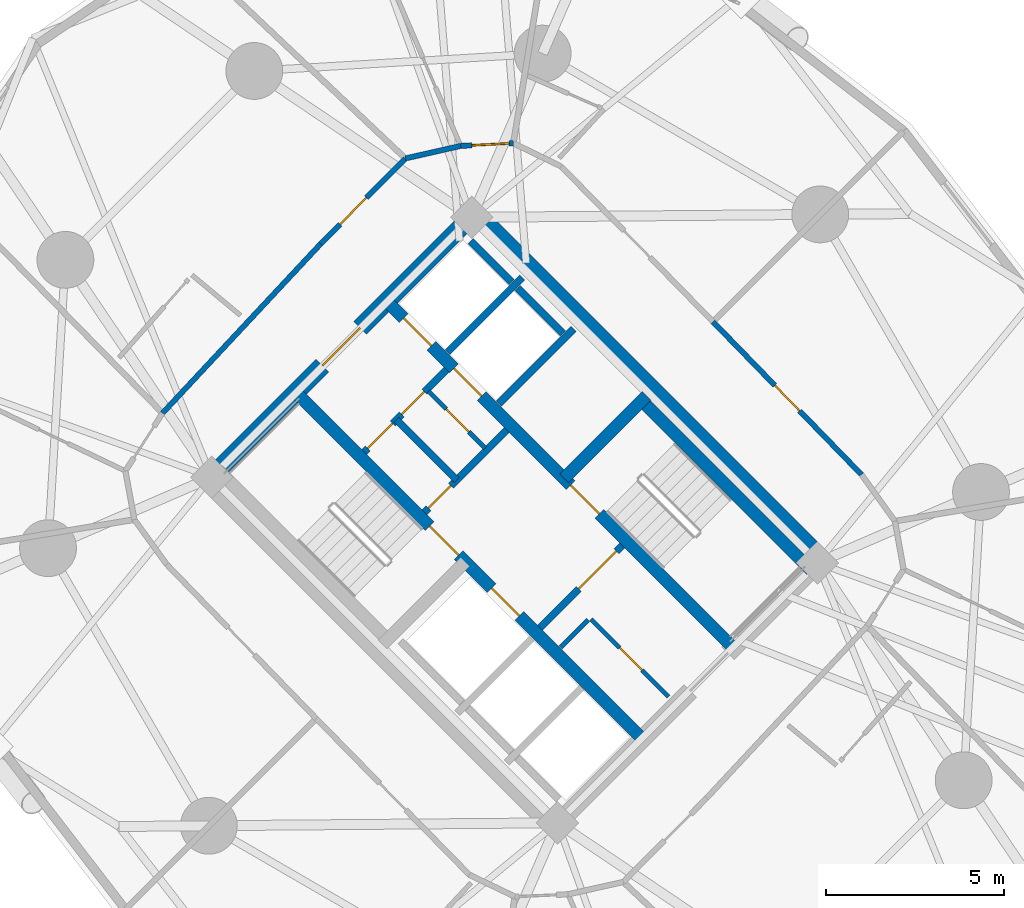
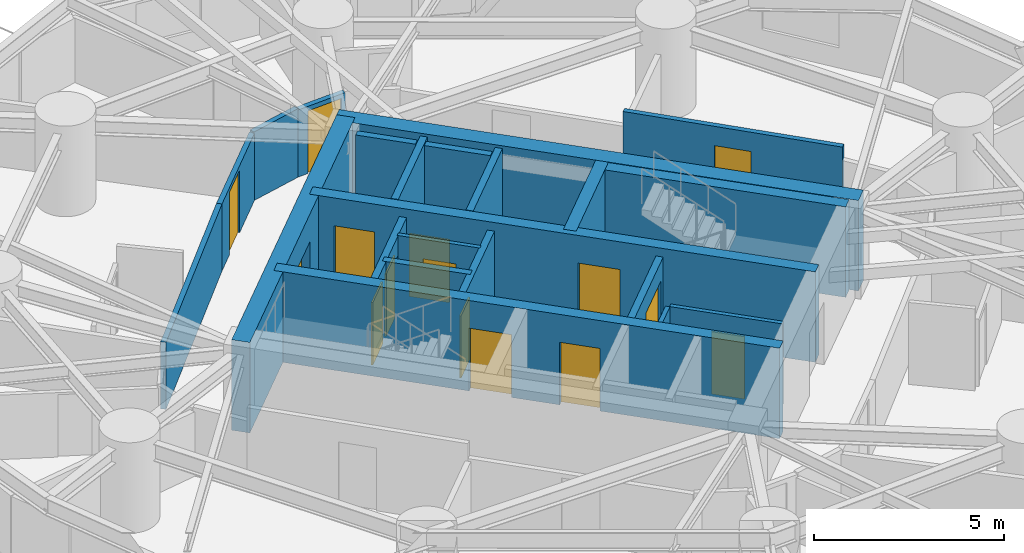
# One storey, part 14 of 19: 22 walls, 15 doors, 15 openings.
"""IFC4 building model written with IfcOpenShell, lengths in metres."""

from ifc_helpers import new_model, si_unit, direction, frame, frame_2d, origin, place, context, subcontext, project, spatial, rectangle, extrude, source, transform, mapped, material, layer, layer_set, type_object, element, fill, save


model = new_model("IFC4")

# Units and contexts
model_context = context("Model", 3, precision=1e-05, world=origin(), true_north=direction((0.0, 1.0)))
body_context = subcontext(model_context, "Body", "Model", "MODEL_VIEW")
ifc_project = project(units=[si_unit("LENGTHUNIT", "METRE"), si_unit("AREAUNIT", "SQUARE_METRE"), si_unit("VOLUMEUNIT", "CUBIC_METRE"), si_unit("PLANEANGLEUNIT", "RADIAN"), si_unit("MASSUNIT", "GRAM", prefix="KILO")], contexts=[model_context])

# Site, building, storey
site_placement = place(None, origin())
site = spatial("IfcSite", under=ifc_project, at=site_placement, CompositionType="ELEMENT")
building_placement = place(site_placement, origin())
building = spatial("IfcBuilding", under=site, at=building_placement, Name="Cununo Teusaquillo Station Towers", CompositionType="ELEMENT")
storey_placement = place(building_placement, frame((0.0, 0.0, 30.72998046875)))
storey = spatial("IfcBuildingStorey", under=building, at=storey_placement, Name="L08", CompositionType="ELEMENT", Elevation=30.72998046875)

# Walls
ifc_material_1 = material(Name="Concrete C50/60", Category="concrete")
ifc_layer_1 = layer(ifc_material_1, 0.199951171875)
ifc_layer_set_1 = layer_set([ifc_layer_1], Name="Concrete C50/60")
wall_type_1 = type_object("IfcWallType", Name="WL-CORE-200", PredefinedType="SHEAR", material=ifc_layer_set_1)
wall_1_placement = place(storey_placement, frame((57.0615234375, 27.781005859375, 0.0), z_axis=(0.0, 0.0, 1.0), x_axis=(0.707106781187, 0.707106781187, 0.0)))
element("IfcWall", 1, at=wall_1_placement, inside=storey, type_object=wall_type_1, Name="L08 Tower B Low-Rise Lift Hoistway South Shear Wall", PredefinedType="SHEAR", context=body_context, shape_type="SweptSolid", body=[
    extrude(rectangle(XDim=2.969970703125, YDim=0.199951171875, at=frame_2d((1.48486328125, 0.0))), origin(), (0.0, 0.0, 1.0), 2.909912109375),
])
wall_2_placement = place(storey_placement, frame((55.615478515625, 29.22705078125, 0.0), z_axis=(0.0, 0.0, 1.0), x_axis=(0.707147878904, 0.70706568108, 0.0)))
element("IfcWall", 2, at=wall_2_placement, inside=storey, type_object=wall_type_1, Name="L08 Tower B Low-Rise Lift Hoistway Divider Shear Wall", PredefinedType="SHEAR", context=body_context, shape_type="SweptSolid", body=[
    extrude(rectangle(XDim=2.97021484375, YDim=0.199951171875, at=frame_2d((1.485107421875, 0.0))), origin(), (0.0, 0.0, 1.0), 2.909912109375),
])
wall_3_placement = place(storey_placement, frame((58.86474609375, 29.75390625, 0.0), z_axis=(0.0, 0.0, 1.0), x_axis=(-0.707174411312, 0.707039144592, 0.0)))
element("IfcWall", 3, at=wall_3_placement, inside=storey, type_object=wall_type_1, Name="L08 Tower B Low-Rise Lift 1 Shaft Rear Shear Wall", PredefinedType="SHEAR", context=body_context, shape_type="SweptSolid", body=[
    extrude(rectangle(XDim=1.804931640625, YDim=0.199951171875, at=frame_2d((0.90234375, 0.0))), origin(), (0.0, 0.0, 1.0), 2.909912109375),
])
wall_4_placement = place(storey_placement, frame((57.418701171875, 31.19970703125, 0.0), z_axis=(0.0, 0.0, 1.0), x_axis=(-0.707032117043, 0.707181437447, 0.0)))
element("IfcWall", 4, at=wall_4_placement, inside=storey, type_object=wall_type_1, Name="L08 Tower B Low-Rise Lift 2 Shaft Rear Shear Wall", PredefinedType="SHEAR", context=body_context, shape_type="SweptSolid", body=[
    extrude(rectangle(XDim=1.635009765625, YDim=0.199951171875, at=frame_2d((0.8173828125, 0.0))), origin(), (0.0, 0.0, 1.0), 2.909912109375),
])

# Wall, openings, doors
ifc_material_2 = material(Name="Concrete C50/60", Category="concrete")
ifc_layer_2 = layer(ifc_material_2, 0.35009765625)
ifc_layer_set_2 = layer_set([ifc_layer_2], Name="Concrete C50/60")
wall_type_2 = type_object("IfcWallType", Name="WL-CORE-350", PredefinedType="SHEAR", material=ifc_layer_set_2)
wall_5_placement = place(storey_placement, frame((61.095703125, 18.337646484375, 0.0), z_axis=(0.0, 0.0, 1.0), x_axis=(-0.707106781187, 0.707106781187, 0.0)))
wall_5 = element("IfcWall", 5, at=wall_5_placement, inside=storey, type_object=wall_type_2, Name="L08 Tower B Core Shear Wall IW", PredefinedType="SHEAR", context=body_context, shape_type="SweptSolid", body=[
    extrude(rectangle(XDim=13.800048828125, YDim=0.35009765625, at=frame_2d((6.89990234375, 0.0))), origin(), (0.0, 0.0, 1.0), 2.909912109375),
])
shared_shape_1 = source(origin(), body_context, "Body", "SweptSolid", [
    extrude(rectangle(XDim=1.10009765625, YDim=2.014892578125, at=frame_2d((0.550048828125, 1.00732421875))), frame((0.0, 0.18505859375, 0.0), z_axis=(0.0, -1.0, 0.0), x_axis=(1.0, 0.0, 0.0)), (0.0, 0.0, 1.0), 0.3701171875),
])
opening_1_placement = place(wall_5_placement, frame((4.89990234375, 0.0, 0.0)))
opening_1 = element("IfcOpeningElement", 6, at=opening_1_placement, cuts=wall_5, Name="Opening LD-01", PredefinedType="OPENING", context=body_context, shape_type="MappedRepresentation", body=[
    mapped(shared_shape_1, transform((0.0, 0.0, 0.0), x_axis=(1.0, 0.0, 0.0), y_axis=(0.0, 1.0, 0.0), z_axis=(0.0, 0.0, 1.0), scale=1.0)),
])
shared_shape_2 = source(origin(), body_context, "Body", "SweptSolid", [
    extrude(rectangle(XDim=1.14990234375, YDim=2.02001953125, at=frame_2d((0.574951171875, 1.010009765625))), frame((0.0, 0.18505859375, 0.0), z_axis=(0.0, -1.0, 0.0), x_axis=(1.0, 0.0, 0.0)), (0.0, 0.0, 1.0), 0.3701171875),
])
opening_2_placement = place(wall_5_placement, frame((7.320068359375, 0.0, 0.0)))
opening_2 = element("IfcOpeningElement", 7, at=opening_2_placement, cuts=wall_5, Name="Opening D-ST1", PredefinedType="OPENING", context=body_context, shape_type="MappedRepresentation", body=[
    mapped(shared_shape_2, transform((0.0, 0.0, 0.0), x_axis=(1.0, 0.0, 0.0), y_axis=(0.0, 1.0, 0.0), z_axis=(0.0, 0.0, 1.0), scale=1.0)),
])
ifc_material_3 = material(Name="Galvanised fire-rated hollow steel door assembly", Category="steel")
door_type_1 = type_object("IfcDoorType", Name="DR-LIFT-1100", OperationType="SLIDING_TO_LEFT", PredefinedType="DOOR", material=ifc_material_3)
shared_shape_3 = source(origin(), body_context, "Body", "SweptSolid", [
    extrude(rectangle(XDim=1.10009765625, YDim=2.014892578125, at=frame_2d((0.550048828125, 1.00732421875))), frame((0.0, 0.02490234375, 0.0), z_axis=(0.0, -1.0, 0.0), x_axis=(1.0, 0.0, 0.0)), (0.0, 0.0, 1.0), 0.050048828125),
])
door_1_placement = place(opening_1_placement, origin())
door_1 = element("IfcDoor", 8, at=door_1_placement, inside=storey, type_object=door_type_1, Name="L08 Lift FL-T2 Sliding Landing Door", OperationType="SLIDING_TO_RIGHT", OverallHeight=2.014892578125, OverallWidth=1.10009765625, PredefinedType="DOOR", context=body_context, shape_type="MappedRepresentation", body=[
    mapped(shared_shape_3, transform((0.0, 0.0, 0.0), x_axis=(1.0, 0.0, 0.0), y_axis=(0.0, 1.0, 0.0), z_axis=(0.0, 0.0, 1.0), scale=1.0)),
])
fill(opening_1, door_1)
ifc_material_4 = material(Name="Galvanised fire-rated hollow steel door assembly", Category="steel")
door_type_2 = type_object("IfcDoorType", Name="DR-STAIR-1150", OperationType="NOTDEFINED", PredefinedType="DOOR", material=ifc_material_4)
shared_shape_4 = source(origin(), body_context, "Body", "SweptSolid", [
    extrude(rectangle(XDim=1.14990234375, YDim=2.02001953125, at=frame_2d((0.574951171875, 1.010009765625))), frame((0.0, 0.02490234375, 0.0), z_axis=(0.0, -1.0, 0.0), x_axis=(1.0, 0.0, 0.0)), (0.0, 0.0, 1.0), 0.050048828125),
])
door_2_placement = place(opening_2_placement, origin())
door_2 = element("IfcDoor", 9, at=door_2_placement, inside=storey, type_object=door_type_2, Name="L08 Tower B Exit Stair 1 Fire Door", OperationType="SINGLE_SWING_LEFT", OverallHeight=2.02001953125, OverallWidth=1.14990234375, PredefinedType="DOOR", context=body_context, shape_type="MappedRepresentation", body=[
    mapped(shared_shape_4, transform((0.0, 0.0, 0.0), x_axis=(1.0, 0.0, 0.0), y_axis=(0.0, 1.0, 0.0), z_axis=(0.0, 0.0, 1.0), scale=1.0)),
])
fill(opening_2, door_2)

wall_6_placement = place(storey_placement, frame((63.662353515625, 20.904296875, 0.0), z_axis=(0.0, 0.0, 1.0), x_axis=(-0.707106781187, 0.707106781187, 0.0)))
wall_6 = element("IfcWall", 10, at=wall_6_placement, inside=storey, type_object=wall_type_2, Name="L08 Tower B Core Shear Wall IE", PredefinedType="SHEAR", context=body_context, shape_type="SweptSolid", body=[
    extrude(rectangle(XDim=13.800048828125, YDim=0.35009765625, at=frame_2d((6.89990234375, 0.0))), origin(), (0.0, 0.0, 1.0), 2.909912109375),
])
opening_3_placement = place(wall_6_placement, frame((10.02490234375, 0.0, 0.0)))
opening_3 = element("IfcOpeningElement", 11, at=opening_3_placement, cuts=wall_6, Name="Opening LD-01", PredefinedType="OPENING", context=body_context, shape_type="MappedRepresentation", body=[
    mapped(shared_shape_1, transform((0.0, 0.0, 0.0), x_axis=(1.0, 0.0, 0.0), y_axis=(0.0, 1.0, 0.0), z_axis=(0.0, 0.0, 1.0), scale=1.0)),
])
opening_4_placement = place(wall_6_placement, frame((12.02490234375, 0.0, 0.0)))
opening_4 = element("IfcOpeningElement", 12, at=opening_4_placement, cuts=wall_6, Name="Opening LD-01", PredefinedType="OPENING", context=body_context, shape_type="MappedRepresentation", body=[
    mapped(shared_shape_1, transform((0.0, 0.0, 0.0), x_axis=(1.0, 0.0, 0.0), y_axis=(0.0, 1.0, 0.0), z_axis=(0.0, 0.0, 1.0), scale=1.0)),
])
opening_5_placement = place(wall_6_placement, frame((5.330078125, 0.0, 0.0)))
opening_5 = element("IfcOpeningElement", 13, at=opening_5_placement, cuts=wall_6, Name="Opening D-ST1", PredefinedType="OPENING", context=body_context, shape_type="MappedRepresentation", body=[
    mapped(shared_shape_2, transform((0.0, 0.0, 0.0), x_axis=(1.0, 0.0, 0.0), y_axis=(0.0, 1.0, 0.0), z_axis=(0.0, 0.0, 1.0), scale=1.0)),
])
door_3_placement = place(opening_3_placement, origin())
door_3 = element("IfcDoor", 14, at=door_3_placement, inside=storey, type_object=door_type_1, Name="L08 Lift PL-T2-L1 Sliding Landing Door", OperationType="SLIDING_TO_LEFT", OverallHeight=2.014892578125, OverallWidth=1.10009765625, PredefinedType="DOOR", context=body_context, shape_type="MappedRepresentation", body=[
    mapped(shared_shape_3, transform((0.0, 0.0, 0.0), x_axis=(1.0, 0.0, 0.0), y_axis=(0.0, 1.0, 0.0), z_axis=(0.0, 0.0, 1.0), scale=1.0)),
])
fill(opening_3, door_3)
door_4_placement = place(opening_4_placement, origin())
door_4 = element("IfcDoor", 15, at=door_4_placement, inside=storey, type_object=door_type_1, Name="L08 Lift PL-T2-L2 Sliding Landing Door", OperationType="SLIDING_TO_RIGHT", OverallHeight=2.014892578125, OverallWidth=1.10009765625, PredefinedType="DOOR", context=body_context, shape_type="MappedRepresentation", body=[
    mapped(shared_shape_3, transform((0.0, 0.0, 0.0), x_axis=(1.0, 0.0, 0.0), y_axis=(0.0, 1.0, 0.0), z_axis=(0.0, 0.0, 1.0), scale=1.0)),
])
fill(opening_4, door_4)
door_5_placement = place(opening_5_placement, origin())
door_5 = element("IfcDoor", 16, at=door_5_placement, inside=storey, type_object=door_type_2, Name="L08 Tower B Exit Stair 2 Fire Door", OperationType="SINGLE_SWING_RIGHT", OverallHeight=2.02001953125, OverallWidth=1.14990234375, PredefinedType="DOOR", context=body_context, shape_type="MappedRepresentation", body=[
    mapped(shared_shape_4, transform((0.0, 0.0, 0.0), x_axis=(1.0, 0.0, 0.0), y_axis=(0.0, 1.0, 0.0), z_axis=(0.0, 0.0, 1.0), scale=1.0)),
])
fill(opening_5, door_5)

# Walls
wall_7_placement = place(storey_placement, frame((65.847412109375, 23.08935546875, 0.0), z_axis=(0.0, 0.0, 1.0), x_axis=(-0.707106781187, 0.707106781187, 0.0)))
element("IfcWall", 17, at=wall_7_placement, inside=storey, type_object=wall_type_2, Name="L08 Tower B Core Shear Wall ST2E", PredefinedType="SHEAR", context=body_context, shape_type="SweptSolid", body=[
    extrude(rectangle(XDim=6.7451171875, YDim=0.35009765625, at=frame_2d((3.37255859375, 0.0))), origin(), (0.0, 0.0, 1.0), 2.909912109375),
])
wall_8_placement = place(storey_placement, frame((58.89306640625, 25.673828125, 0.0), z_axis=(0.0, 0.0, 1.0), x_axis=(0.707106781187, 0.707106781187, 0.0)))
element("IfcWall", 18, at=wall_8_placement, inside=storey, type_object=wall_type_2, Name="L08 Tower B Core Shear Wall ST2N", PredefinedType="SHEAR", context=body_context, shape_type="SweptSolid", body=[
    extrude(rectangle(XDim=3.284912109375, YDim=0.35009765625, at=frame_2d((1.642578125, 0.0))), origin(), (0.0, 0.0, 1.0), 2.909912109375),
])
ifc_material_5 = material(Name="Concrete C60/75", Category="concrete")
ifc_layer_3 = layer(ifc_material_5, 0.5)
ifc_layer_set_3 = layer_set([ifc_layer_3], Name="Concrete C60/75")
wall_type_3 = type_object("IfcWallType", Name="WL-CORE-500", PredefinedType="SHEAR", material=ifc_layer_set_3)
wall_9_placement = place(storey_placement, frame((66.3388671875, 23.227294921875, 0.0), z_axis=(0.0, 0.0, 1.0), x_axis=(-0.707106781187, 0.707106781187, 0.0)))
element("IfcWall", 19, at=wall_9_placement, inside=storey, type_object=wall_type_3, Name="L08 Tower B Core Shear Wall E", PredefinedType="SHEAR", context=body_context, shape_type="SweptSolid", body=[
    extrude(rectangle(XDim=14.2998046875, YDim=0.5, at=frame_2d((7.14990234375, 0.0))), origin(), (0.0, 0.0, 1.0), 2.909912109375),
])

# Wall, opening, door
wall_10_placement = place(storey_placement, frame((48.837890625, 25.595947265625, 0.0), z_axis=(0.0, 0.0, 1.0), x_axis=(0.707106781187, 0.707106781187, 0.0)))
wall_10 = element("IfcWall", 20, at=wall_10_placement, inside=storey, type_object=wall_type_3, Name="L08 Tower B Core Shear Wall N", PredefinedType="SHEAR", context=body_context, shape_type="SweptSolid", body=[
    extrude(rectangle(XDim=10.7001953125, YDim=0.5, at=frame_2d((5.35009765625, 0.0))), origin(), (0.0, 0.0, 1.0), 2.909912109375),
])
shared_shape_5 = source(origin(), body_context, "Body", "SweptSolid", [
    extrude(rectangle(XDim=1.5, YDim=2.02001953125, at=frame_2d((0.75, 1.010009765625))), frame((0.0, 0.260009765625, 0.0), z_axis=(0.0, -1.0, 0.0), x_axis=(1.0, 0.0, 0.0)), (0.0, 0.0, 1.0), 0.52001953125),
])
opening_6_placement = place(wall_10_placement, frame((4.60009765625, 0.0, 0.0)))
opening_6 = element("IfcOpeningElement", 21, at=opening_6_placement, cuts=wall_10, Name="Opening D-LB1", PredefinedType="OPENING", context=body_context, shape_type="MappedRepresentation", body=[
    mapped(shared_shape_5, transform((0.0, 0.0, 0.0), x_axis=(1.0, 0.0, 0.0), y_axis=(0.0, 1.0, 0.0), z_axis=(0.0, 0.0, 1.0), scale=1.0)),
])
ifc_material_6 = material(Name="Galvanised fire-rated hollow steel door assembly", Category="steel")
door_type_3 = type_object("IfcDoorType", Name="DR-LOBBY-1500", OperationType="DOUBLE_DOOR_SINGLE_SWING", PredefinedType="DOOR", material=ifc_material_6)
shared_shape_6 = source(origin(), body_context, "Body", "SweptSolid", [
    extrude(rectangle(XDim=1.5, YDim=2.02001953125, at=frame_2d((0.75, 1.010009765625))), frame((0.0, 0.02490234375, 0.0), z_axis=(0.0, -1.0, 0.0), x_axis=(1.0, 0.0, 0.0)), (0.0, 0.0, 1.0), 0.050048828125),
])
door_6_placement = place(opening_6_placement, origin())
door_6 = element("IfcDoor", 22, at=door_6_placement, inside=storey, type_object=door_type_3, Name="L08 Tower B North Core Lift Lobby Door", OperationType="DOUBLE_DOOR_SINGLE_SWING", OverallHeight=2.02001953125, OverallWidth=1.5, PredefinedType="DOOR", context=body_context, shape_type="MappedRepresentation", body=[
    mapped(shared_shape_6, transform((0.0, 0.0, 0.0), x_axis=(1.0, 0.0, 0.0), y_axis=(0.0, 1.0, 0.0), z_axis=(0.0, 0.0, 1.0), scale=1.0)),
])
fill(opening_6, door_6)

ifc_material_7 = material(Name="Fire-rated gypsum plasterboard partition assembly", Category="gypsum")
ifc_layer_4 = layer(ifc_material_7, 0.125)
ifc_layer_set_4 = layer_set([ifc_layer_4], Name="Fire-rated gypsum plasterboard partition assembly")
wall_type_4 = type_object("IfcWallType", Name="WL-PART-125", PredefinedType="PARTITIONING", material=ifc_layer_set_4)
wall_11_placement = place(storey_placement, frame((61.834716796875, 19.529052734375, 0.0), z_axis=(0.0, 0.0, 1.0), x_axis=(-0.707146413884, 0.707067146267, 0.0)))
wall_11 = element("IfcWall", 23, at=wall_11_placement, inside=storey, type_object=wall_type_4, Name="L08 Tower B South-West Tall Store East Wall", PredefinedType="PARTITIONING", context=body_context, shape_type="SweptSolid", body=[
    extrude(rectangle(XDim=3.079833984375, YDim=0.125, at=frame_2d((1.5400390625, 0.0))), origin(), (0.0, 0.0, 1.0), 2.635009765625),
])
shared_shape_7 = source(origin(), body_context, "Body", "SweptSolid", [
    extrude(rectangle(XDim=0.89990234375, YDim=2.0048828125, at=frame_2d((0.449951171875, 1.00244140625))), frame((0.0, 0.072509765625, 0.0), z_axis=(0.0, -1.0, 0.0), x_axis=(1.0, 0.0, 0.0)), (0.0, 0.0, 1.0), 0.14501953125),
])
opening_7_placement = place(wall_11_placement, frame((1.050048828125, 0.0, 0.0)))
opening_7 = element("IfcOpeningElement", 24, at=opening_7_placement, cuts=wall_11, Name="Opening D-SR1", PredefinedType="OPENING", context=body_context, shape_type="MappedRepresentation", body=[
    mapped(shared_shape_7, transform((0.0, 0.0, 0.0), x_axis=(1.0, 0.0, 0.0), y_axis=(0.0, 1.0, 0.0), z_axis=(0.0, 0.0, 1.0), scale=1.0)),
])
ifc_material_8 = material(Name="Galvanised fire-rated hollow steel door assembly", Category="steel")
door_type_4 = type_object("IfcDoorType", Name="DR-STORE-900", OperationType="NOTDEFINED", PredefinedType="DOOR", material=ifc_material_8)
shared_shape_8 = source(origin(), body_context, "Body", "SweptSolid", [
    extrude(rectangle(XDim=0.89990234375, YDim=2.0048828125, at=frame_2d((0.449951171875, 1.00244140625))), frame((0.0, 0.02490234375, 0.0), z_axis=(0.0, -1.0, 0.0), x_axis=(1.0, 0.0, 0.0)), (0.0, 0.0, 1.0), 0.050048828125),
])
door_7_placement = place(opening_7_placement, origin())
door_7 = element("IfcDoor", 25, at=door_7_placement, inside=storey, type_object=door_type_4, Name="L08 Tower B South Cleaners Store Door", OperationType="SINGLE_SWING_LEFT", OverallHeight=2.0048828125, OverallWidth=0.89990234375, PredefinedType="DOOR", context=body_context, shape_type="MappedRepresentation", body=[
    mapped(shared_shape_8, transform((0.0, 0.0, 0.0), x_axis=(1.0, 0.0, 0.0), y_axis=(0.0, 1.0, 0.0), z_axis=(0.0, 0.0, 1.0), scale=1.0)),
])
fill(opening_7, door_7)

# Wall
wall_12_placement = place(storey_placement, frame((58.7939453125, 20.9150390625, 0.0), z_axis=(0.0, 0.0, 1.0), x_axis=(0.707106781187, 0.707106781187, 0.0)))
element("IfcWall", 26, at=wall_12_placement, inside=storey, type_object=wall_type_4, Name="L08 Tower B South-West Tall Store North Wall", PredefinedType="PARTITIONING", context=body_context, shape_type="SweptSolid", body=[
    extrude(rectangle(XDim=1.10009765625, YDim=0.125, at=frame_2d((0.550048828125, 0.0))), origin(), (0.0, 0.0, 1.0), 2.635009765625),
])

# Wall, opening, door
wall_13_placement = place(storey_placement, frame((56.672607421875, 26.529296875, 0.0), z_axis=(0.0, 0.0, 1.0), x_axis=(-0.707052764397, 0.70716079385, 0.0)))
wall_13 = element("IfcWall", 27, at=wall_13_placement, inside=storey, type_object=wall_type_4, Name="L08 Tower B Core Vertical Split Wall", PredefinedType="PARTITIONING", context=body_context, shape_type="SweptSolid", body=[
    extrude(rectangle(XDim=2.260009765625, YDim=0.125, at=frame_2d((1.1298828125, 0.0))), origin(), (0.0, 0.0, 1.0), 2.635009765625),
])
opening_8_placement = place(wall_13_placement, frame((0.64990234375, 0.0, 0.0)))
opening_8 = element("IfcOpeningElement", 28, at=opening_8_placement, cuts=wall_13, Name="Opening D-SR1", PredefinedType="OPENING", context=body_context, shape_type="MappedRepresentation", body=[
    mapped(shared_shape_7, transform((0.0, 0.0, 0.0), x_axis=(1.0, 0.0, 0.0), y_axis=(0.0, 1.0, 0.0), z_axis=(0.0, 0.0, 1.0), scale=1.0)),
])
door_8_placement = place(opening_8_placement, origin())
door_8 = element("IfcDoor", 29, at=door_8_placement, inside=storey, type_object=door_type_4, Name="L08 Tower B Core Electrical Room Door", OperationType="SINGLE_SWING_LEFT", OverallHeight=2.0048828125, OverallWidth=0.89990234375, PredefinedType="DOOR", context=body_context, shape_type="MappedRepresentation", body=[
    mapped(shared_shape_8, transform((0.0, 0.0, 0.0), x_axis=(1.0, 0.0, 0.0), y_axis=(0.0, 1.0, 0.0), z_axis=(0.0, 0.0, 1.0), scale=1.0)),
])
fill(opening_8, door_8)

ifc_material_9 = material(Name="Fire-rated gypsum plasterboard partition assembly", Category="gypsum")
ifc_layer_5 = layer(ifc_material_9, 0.14990234375)
ifc_layer_set_5 = layer_set([ifc_layer_5], Name="Fire-rated gypsum plasterboard partition assembly")
wall_type_5 = type_object("IfcWallType", Name="WL-PART-150", PredefinedType="PARTITIONING", material=ifc_layer_set_5)
wall_14_placement = place(storey_placement, frame((57.466796875, 35.111328125, 0.0), z_axis=(0.0, 0.0, 1.0), x_axis=(-0.998691757323, -0.051134859488, 0.0)))
wall_14 = element("IfcWall", 30, at=wall_14_placement, inside=storey, type_object=wall_type_5, Name="L08 Tower B Corridor Ring Wall C02", PredefinedType="PARTITIONING", context=body_context, shape_type="SweptSolid", body=[
    extrude(rectangle(XDim=1.48486328125, YDim=0.14990234375, at=frame_2d((0.742431640625, 0.0))), origin(), (0.0, 0.0, 1.0), 2.158935546875),
])
shared_shape_9 = source(origin(), body_context, "Body", "SweptSolid", [
    extrude(rectangle(XDim=1.050048828125, YDim=2.014892578125, at=frame_2d((0.52490234375, 1.00732421875))), frame((0.0, 0.0849609375, 0.0), z_axis=(0.0, -1.0, 0.0), x_axis=(1.0, 0.0, 0.0)), (0.0, 0.0, 1.0), 0.169921875),
])
opening_9_placement = place(wall_14_placement, frame((0.1201171875, 0.0, 0.0)))
opening_9 = element("IfcOpeningElement", 31, at=opening_9_placement, cuts=wall_14, Name="Opening D-SU1", PredefinedType="OPENING", context=body_context, shape_type="MappedRepresentation", body=[
    mapped(shared_shape_9, transform((0.0, 0.0, 0.0), x_axis=(1.0, 0.0, 0.0), y_axis=(0.0, 1.0, 0.0), z_axis=(0.0, 0.0, 1.0), scale=1.0)),
])
ifc_material_10 = material(Name="Acoustic solid-core hardwood leaf assembly", Category="wood")
door_type_5 = type_object("IfcDoorType", Name="DR-SUITE-1050", OperationType="NOTDEFINED", PredefinedType="DOOR", material=ifc_material_10)
shared_shape_10 = source(origin(), body_context, "Body", "SweptSolid", [
    extrude(rectangle(XDim=1.050048828125, YDim=2.014892578125, at=frame_2d((0.52490234375, 1.00732421875))), frame((0.0, 0.02490234375, 0.0), z_axis=(0.0, -1.0, 0.0), x_axis=(1.0, 0.0, 0.0)), (0.0, 0.0, 1.0), 0.050048828125),
])
door_9_placement = place(opening_9_placement, origin())
door_9 = element("IfcDoor", 32, at=door_9_placement, inside=storey, type_object=door_type_5, Name="L08 Tower B Hotel Club Breakfast Lounge Entrance Door", OperationType="SINGLE_SWING_RIGHT", OverallHeight=2.014892578125, OverallWidth=1.050048828125, PredefinedType="DOOR", context=body_context, shape_type="MappedRepresentation", body=[
    mapped(shared_shape_10, transform((0.0, 0.0, 0.0), x_axis=(1.0, 0.0, 0.0), y_axis=(0.0, 1.0, 0.0), z_axis=(0.0, 0.0, 1.0), scale=1.0)),
])
fill(opening_9, door_9)

# Wall
wall_15_placement = place(storey_placement, frame((55.98388671875, 35.035400390625, 0.0), z_axis=(0.0, 0.0, 1.0), x_axis=(-0.975290305708, -0.22092718165, 0.0)))
element("IfcWall", 33, at=wall_15_placement, inside=storey, type_object=wall_type_5, Name="L08 Tower B Corridor Ring Wall C03", PredefinedType="PARTITIONING", context=body_context, shape_type="SweptSolid", body=[
    extrude(rectangle(XDim=1.596923828125, YDim=0.14990234375, at=frame_2d((0.79833984375, 0.0))), origin(), (0.0, 0.0, 1.0), 2.205078125),
])

# Wall, opening, door
wall_16_placement = place(storey_placement, frame((54.426513671875, 34.6826171875, 0.0), z_axis=(0.0, 0.0, 1.0), x_axis=(-0.704178989986, -0.710022499687, 0.0)))
wall_16 = element("IfcWall", 34, at=wall_16_placement, inside=storey, type_object=wall_type_5, Name="L08 Tower B Corridor Ring Wall C04", PredefinedType="PARTITIONING", context=body_context, shape_type="SweptSolid", body=[
    extrude(rectangle(XDim=3.38427734375, YDim=0.14990234375, at=frame_2d((1.692138671875, 0.0))), origin(), (0.0, 0.0, 1.0), 2.158935546875),
])
opening_10_placement = place(wall_16_placement, frame((1.5595703125, 0.0, 0.0)))
opening_10 = element("IfcOpeningElement", 35, at=opening_10_placement, cuts=wall_16, Name="Opening D-SU1", PredefinedType="OPENING", context=body_context, shape_type="MappedRepresentation", body=[
    mapped(shared_shape_9, transform((0.0, 0.0, 0.0), x_axis=(1.0, 0.0, 0.0), y_axis=(0.0, 1.0, 0.0), z_axis=(0.0, 0.0, 1.0), scale=1.0)),
])
door_10_placement = place(opening_10_placement, origin())
door_10 = element("IfcDoor", 36, at=door_10_placement, inside=storey, type_object=door_type_5, Name="L08 Tower B Executive Corner Hotel Suite Entrance Door", OperationType="SINGLE_SWING_RIGHT", OverallHeight=2.014892578125, OverallWidth=1.050048828125, PredefinedType="DOOR", context=body_context, shape_type="MappedRepresentation", body=[
    mapped(shared_shape_10, transform((0.0, 0.0, 0.0), x_axis=(1.0, 0.0, 0.0), y_axis=(0.0, 1.0, 0.0), z_axis=(0.0, 0.0, 1.0), scale=1.0)),
])
fill(opening_10, door_10)

# Wall
wall_17_placement = place(storey_placement, frame((52.04345703125, 32.27978515625, 0.0), z_axis=(0.0, 0.0, 1.0), x_axis=(-0.682606081633, -0.730786519661, 0.0)))
element("IfcWall", 37, at=wall_17_placement, inside=storey, type_object=wall_type_5, Name="L08 Tower B Corridor Ring Wall C05", PredefinedType="PARTITIONING", context=body_context, shape_type="SweptSolid", body=[
    extrude(rectangle(XDim=6.526611328125, YDim=0.14990234375, at=frame_2d((3.26318359375, 0.0))), origin(), (0.0, 0.0, 1.0), 2.158935546875),
])

# Wall, opening, door
wall_18_placement = place(storey_placement, frame((67.270263671875, 25.77978515625, 0.0), z_axis=(0.0, 0.0, 1.0), x_axis=(-0.696847842907, 0.717218992942, 0.0)))
wall_18 = element("IfcWall", 38, at=wall_18_placement, inside=storey, type_object=wall_type_5, Name="L08 Tower B Corridor Ring Wall C19", PredefinedType="PARTITIONING", context=body_context, shape_type="SweptSolid", body=[
    extrude(rectangle(XDim=6.00439453125, YDim=0.14990234375, at=frame_2d((3.002197265625, 0.0))), origin(), (0.0, 0.0, 1.0), 2.635009765625),
])
shared_shape_11 = source(origin(), body_context, "Body", "SweptSolid", [
    extrude(rectangle(XDim=1.0, YDim=2.014892578125, at=frame_2d((0.5, 1.00732421875))), frame((0.0, 0.0849609375, 0.0), z_axis=(0.0, -1.0, 0.0), x_axis=(1.0, 0.0, 0.0)), (0.0, 0.0, 1.0), 0.169921875),
])
opening_11_placement = place(wall_18_placement, frame((2.502197265625, 0.0, 0.0)))
opening_11 = element("IfcOpeningElement", 39, at=opening_11_placement, cuts=wall_18, Name="Opening D-AC1", PredefinedType="OPENING", context=body_context, shape_type="MappedRepresentation", body=[
    mapped(shared_shape_11, transform((0.0, 0.0, 0.0), x_axis=(1.0, 0.0, 0.0), y_axis=(0.0, 1.0, 0.0), z_axis=(0.0, 0.0, 1.0), scale=1.0)),
])
ifc_material_11 = material(Name="Acoustic solid-core hardwood leaf assembly", Category="wood")
door_type_6 = type_object("IfcDoorType", Name="DR-ACC-1000", OperationType="NOTDEFINED", PredefinedType="DOOR", material=ifc_material_11)
shared_shape_12 = source(origin(), body_context, "Body", "SweptSolid", [
    extrude(rectangle(XDim=1.0, YDim=2.014892578125, at=frame_2d((0.5, 1.00732421875))), frame((0.0, 0.02490234375, 0.0), z_axis=(0.0, -1.0, 0.0), x_axis=(1.0, 0.0, 0.0)), (0.0, 0.0, 1.0), 0.050048828125),
])
door_11_placement = place(opening_11_placement, origin())
door_11 = element("IfcDoor", 40, at=door_11_placement, inside=storey, type_object=door_type_6, Name="L08 Tower B Public Accessible Restroom WC Entrance Door", OperationType="SINGLE_SWING_LEFT", OverallHeight=2.014892578125, OverallWidth=1.0, PredefinedType="DOOR", context=body_context, shape_type="MappedRepresentation", body=[
    mapped(shared_shape_12, transform((0.0, 0.0, 0.0), x_axis=(1.0, 0.0, 0.0), y_axis=(0.0, 1.0, 0.0), z_axis=(0.0, 0.0, 1.0), scale=1.0)),
])
fill(opening_11, door_11)

ifc_material_12 = material(Name="Fire-rated gypsum plasterboard partition assembly", Category="gypsum")
ifc_layer_6 = layer(ifc_material_12, 0.199951171875)
ifc_layer_set_6 = layer_set([ifc_layer_6], Name="Fire-rated gypsum plasterboard partition assembly")
wall_type_6 = type_object("IfcWallType", Name="WL-PART-200", PredefinedType="PARTITIONING", material=ifc_layer_set_6)
wall_19_placement = place(storey_placement, frame((58.214111328125, 21.466552734375, 0.0), z_axis=(0.0, 0.0, 1.0), x_axis=(0.707106781187, 0.707106781187, 0.0)))
wall_19 = element("IfcWall", 41, at=wall_19_placement, inside=storey, type_object=wall_type_6, Name="L08 Tower B Firefighting Lift Lobby South Fire Wall", PredefinedType="PARTITIONING", context=body_context, shape_type="SweptSolid", body=[
    extrude(rectangle(XDim=3.280029296875, YDim=0.199951171875, at=frame_2d((1.64013671875, 0.0))), origin(), (0.0, 0.0, 1.0), 2.635009765625),
])
shared_shape_13 = source(origin(), body_context, "Body", "SweptSolid", [
    extrude(rectangle(XDim=1.5, YDim=2.02001953125, at=frame_2d((0.75, 1.010009765625))), frame((0.0, 0.10986328125, 0.0), z_axis=(0.0, -1.0, 0.0), x_axis=(1.0, 0.0, 0.0)), (0.0, 0.0, 1.0), 0.219970703125),
])
opening_12_placement = place(wall_19_placement, frame((1.550048828125, 0.0, 0.0)))
opening_12 = element("IfcOpeningElement", 42, at=opening_12_placement, cuts=wall_19, Name="Opening D-LB1", PredefinedType="OPENING", context=body_context, shape_type="MappedRepresentation", body=[
    mapped(shared_shape_13, transform((0.0, 0.0, 0.0), x_axis=(1.0, 0.0, 0.0), y_axis=(0.0, 1.0, 0.0), z_axis=(0.0, 0.0, 1.0), scale=1.0)),
])
door_12_placement = place(opening_12_placement, origin())
door_12 = element("IfcDoor", 43, at=door_12_placement, inside=storey, type_object=door_type_3, Name="L08 Tower B Firefighting Lift Lobby South Fire Door", OperationType="DOUBLE_DOOR_SINGLE_SWING", OverallHeight=2.02001953125, OverallWidth=1.5, PredefinedType="DOOR", context=body_context, shape_type="MappedRepresentation", body=[
    mapped(shared_shape_6, transform((0.0, 0.0, 0.0), x_axis=(1.0, 0.0, 0.0), y_axis=(0.0, 1.0, 0.0), z_axis=(0.0, 0.0, 1.0), scale=1.0)),
])
fill(opening_12, door_12)

wall_20_placement = place(storey_placement, frame((54.96142578125, 24.71923828125, 0.0), z_axis=(0.0, 0.0, 1.0), x_axis=(0.707106781187, 0.707106781187, 0.0)))
wall_20 = element("IfcWall", 44, at=wall_20_placement, inside=storey, type_object=wall_type_6, Name="L08 Tower B Firefighting Lift Lobby North Fire Wall", PredefinedType="PARTITIONING", context=body_context, shape_type="SweptSolid", body=[
    extrude(rectangle(XDim=3.280029296875, YDim=0.199951171875, at=frame_2d((1.64013671875, 0.0))), origin(), (0.0, 0.0, 1.0), 2.635009765625),
])
shared_shape_14 = source(origin(), body_context, "Body", "SweptSolid", [
    extrude(rectangle(XDim=0.89990234375, YDim=2.0048828125, at=frame_2d((0.449951171875, 1.00244140625))), frame((0.0, 0.10986328125, 0.0), z_axis=(0.0, -1.0, 0.0), x_axis=(1.0, 0.0, 0.0)), (0.0, 0.0, 1.0), 0.219970703125),
])
opening_13_placement = place(wall_20_placement, frame((0.159912109375, 0.0, 0.0)))
opening_13 = element("IfcOpeningElement", 45, at=opening_13_placement, cuts=wall_20, Name="Opening D-SR1", PredefinedType="OPENING", context=body_context, shape_type="MappedRepresentation", body=[
    mapped(shared_shape_14, transform((0.0, 0.0, 0.0), x_axis=(1.0, 0.0, 0.0), y_axis=(0.0, 1.0, 0.0), z_axis=(0.0, 0.0, 1.0), scale=1.0)),
])
door_13_placement = place(opening_13_placement, origin())
door_13 = element("IfcDoor", 46, at=door_13_placement, inside=storey, type_object=door_type_4, Name="L08 Tower B Stair 1 Protected Vestibule South Door", OperationType="SINGLE_SWING_LEFT", OverallHeight=2.0048828125, OverallWidth=0.89990234375, PredefinedType="DOOR", context=body_context, shape_type="MappedRepresentation", body=[
    mapped(shared_shape_8, transform((0.0, 0.0, 0.0), x_axis=(1.0, 0.0, 0.0), y_axis=(0.0, 1.0, 0.0), z_axis=(0.0, 0.0, 1.0), scale=1.0)),
])
fill(opening_13, door_13)

# Wall
wall_21_placement = place(storey_placement, frame((55.873779296875, 25.63134765625, 0.0), z_axis=(0.0, 0.0, 1.0), x_axis=(-0.707157639372, 0.707055919343, 0.0)))
element("IfcWall", 47, at=wall_21_placement, inside=storey, type_object=wall_type_6, Name="L08 Tower B Stair 1 Vestibule Partition Wall", PredefinedType="PARTITIONING", context=body_context, shape_type="SweptSolid", body=[
    extrude(rectangle(XDim=2.400146484375, YDim=0.199951171875, at=frame_2d((1.2001953125, 0.0))), origin(), (0.0, 0.0, 1.0), 2.635009765625),
])

# Wall, openings, doors
wall_22_placement = place(storey_placement, frame((53.264404296875, 26.416259765625, 0.0), z_axis=(0.0, 0.0, 1.0), x_axis=(0.707106781187, 0.707106781187, 0.0)))
wall_22 = element("IfcWall", 48, at=wall_22_placement, inside=storey, type_object=wall_type_6, Name="L08 Tower B North Lift Lobby South Fire Wall", PredefinedType="PARTITIONING", context=body_context, shape_type="SweptSolid", body=[
    extrude(rectangle(XDim=3.280029296875, YDim=0.199951171875, at=frame_2d((1.64013671875, 0.0))), origin(), (0.0, 0.0, 1.0), 2.635009765625),
])
shared_shape_15 = source(origin(), body_context, "Body", "SweptSolid", [
    extrude(rectangle(XDim=1.0, YDim=2.014892578125, at=frame_2d((0.5, 1.00732421875))), frame((0.0, 0.10986328125, 0.0), z_axis=(0.0, -1.0, 0.0), x_axis=(1.0, 0.0, 0.0)), (0.0, 0.0, 1.0), 0.219970703125),
])
opening_14_placement = place(wall_22_placement, frame((0.139892578125, 0.0, 0.0)))
opening_14 = element("IfcOpeningElement", 49, at=opening_14_placement, cuts=wall_22, Name="Opening D-AC1", PredefinedType="OPENING", context=body_context, shape_type="MappedRepresentation", body=[
    mapped(shared_shape_15, transform((0.0, 0.0, 0.0), x_axis=(1.0, 0.0, 0.0), y_axis=(0.0, 1.0, 0.0), z_axis=(0.0, 0.0, 1.0), scale=1.0)),
])
opening_15_placement = place(wall_22_placement, frame((1.5, 0.0, 0.0)))
opening_15 = element("IfcOpeningElement", 50, at=opening_15_placement, cuts=wall_22, Name="Opening D-SR1", PredefinedType="OPENING", context=body_context, shape_type="MappedRepresentation", body=[
    mapped(shared_shape_14, transform((0.0, 0.0, 0.0), x_axis=(1.0, 0.0, 0.0), y_axis=(0.0, 1.0, 0.0), z_axis=(0.0, 0.0, 1.0), scale=1.0)),
])
door_14_placement = place(opening_15_placement, origin())
door_14 = element("IfcDoor", 51, at=door_14_placement, inside=storey, type_object=door_type_4, Name="L08 Tower B Core Housekeeping Store Door", OperationType="SINGLE_SWING_RIGHT", OverallHeight=2.0048828125, OverallWidth=0.89990234375, PredefinedType="DOOR", context=body_context, shape_type="MappedRepresentation", body=[
    mapped(shared_shape_8, transform((0.0, 0.0, 0.0), x_axis=(1.0, 0.0, 0.0), y_axis=(0.0, 1.0, 0.0), z_axis=(0.0, 0.0, 1.0), scale=1.0)),
])
fill(opening_15, door_14)
door_15_placement = place(opening_14_placement, origin())
door_15 = element("IfcDoor", 52, at=door_15_placement, inside=storey, type_object=door_type_6, Name="L08 Tower B North Lift Lobby to Stair 1 Vestibule Door", OperationType="SINGLE_SWING_RIGHT", OverallHeight=2.014892578125, OverallWidth=1.0, PredefinedType="DOOR", context=body_context, shape_type="MappedRepresentation", body=[
    mapped(shared_shape_12, transform((0.0, 0.0, 0.0), x_axis=(1.0, 0.0, 0.0), y_axis=(0.0, 1.0, 0.0), z_axis=(0.0, 0.0, 1.0), scale=1.0)),
])
fill(opening_14, door_15)

save(model, "model.ifc")
